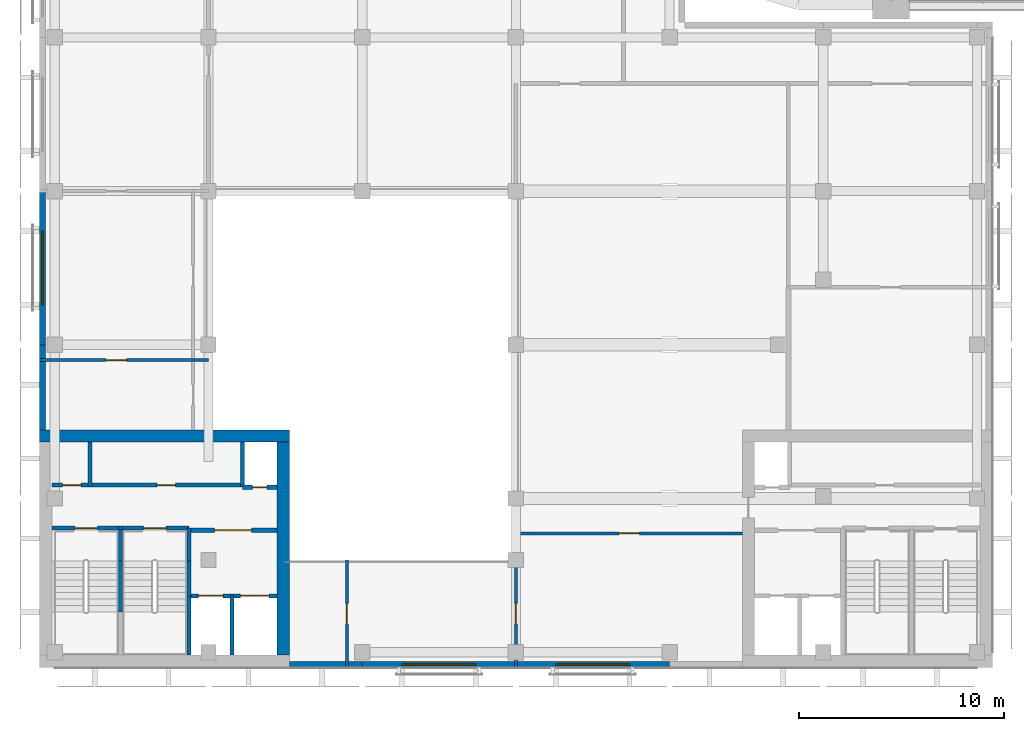
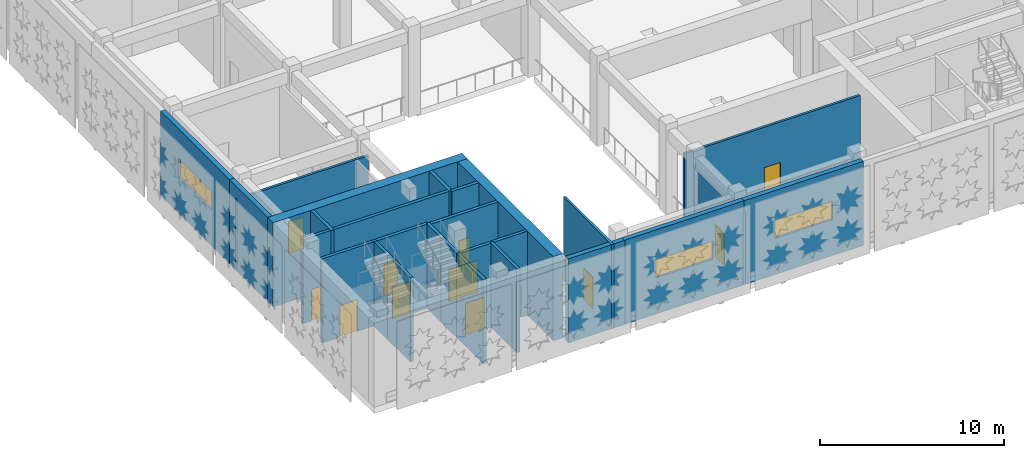
# One storey, part 14 of 46: 27 walls, 12 doors, 3 windows, 15 openings.
"""IFC4 building model written with IfcOpenShell, lengths in metres."""

from ifc_helpers import new_model, si_unit, direction, frame, frame_2d, origin, place, context, subcontext, project, spatial, rectangle, extrude, material, layer, layer_set, type_object, element, fill, save


model = new_model("IFC4")

# Units and contexts
model_context = context("Model", 3, precision=1e-05, world=origin(), true_north=direction((0.0, 1.0)))
body_context = subcontext(model_context, "Body", "Model", "MODEL_VIEW")
ifc_project = project(units=[si_unit("LENGTHUNIT", "METRE"), si_unit("AREAUNIT", "SQUARE_METRE"), si_unit("VOLUMEUNIT", "CUBIC_METRE"), si_unit("PLANEANGLEUNIT", "RADIAN"), si_unit("MASSUNIT", "GRAM", prefix="KILO")], contexts=[model_context])

# Site, building, storey
site_placement = place(None, origin())
site = spatial("IfcSite", under=ifc_project, at=site_placement, CompositionType="ELEMENT")
building_placement = place(site_placement, origin())
building = spatial("IfcBuilding", under=site, at=building_placement, Name="Tessera Arch", CompositionType="ELEMENT")
storey_placement = place(building_placement, frame((0.0, 0.0, 8.0)))
storey = spatial("IfcBuildingStorey", under=building, at=storey_placement, Name="L01", CompositionType="ELEMENT", Elevation=8.0)

# Wall
ifc_material_1 = material(Name="Gypsum board on steel stud", Category="steel")
ifc_layer_1 = layer(ifc_material_1, 0.125)
ifc_layer_set_1 = layer_set([ifc_layer_1], Name="Core partition 125 EI 60")
wall_type_1 = type_object("IfcWallType", Name="Core partition 125 EI 60", PredefinedType="PARTITIONING", material=ifc_layer_set_1)
wall_1_placement = place(storey_placement, frame((-30.090087890625, -23.75, 0.0), z_axis=(0.0, 0.0, 1.0), x_axis=(0.0, 1.0, 0.0)))
element("IfcWall", 1, at=wall_1_placement, inside=storey, type_object=wall_type_1, Name="L01 M2 partition wall 1", PredefinedType="PARTITIONING", context=body_context, shape_type="SweptSolid", body=[
    extrude(rectangle(XDim=2.199951171875, YDim=0.199951171875, at=frame_2d((1.10009765625, 0.0))), origin(), (0.0, 0.0, 1.0), 5.590087890625),
])

# Wall, opening, door
wall_2_placement = place(storey_placement, frame((-25.25, -25.85009765625, 0.0), z_axis=(0.0, 0.0, 1.0), x_axis=(1.0, 0.0, 0.0)))
wall_2 = element("IfcWall", 2, at=wall_2_placement, inside=storey, type_object=wall_type_1, Name="L01 M2 partition wall 11", PredefinedType="PARTITIONING", context=body_context, shape_type="SweptSolid", body=[
    extrude(rectangle(XDim=4.300048828125, YDim=0.199951171875, at=frame_2d((2.14990234375, 0.0))), origin(), (0.0, 0.0, 1.0), 5.590087890625),
])
opening_1_placement = place(wall_2_placement, frame((1.25, 0.0, 0.0)))
opening_1 = element("IfcOpeningElement", 3, at=opening_1_placement, cuts=wall_2, Name="Opening L01-C57", PredefinedType="OPENING", context=body_context, shape_type="SweptSolid", body=[
    extrude(rectangle(XDim=1.800048828125, YDim=2.10009765625, at=frame_2d((0.89990234375, 1.050048828125))), frame((0.0, 0.10986328125, 0.0), z_axis=(0.0, -1.0, 0.0), x_axis=(1.0, 0.0, 0.0)), (0.0, 0.0, 1.0), 0.219970703125),
])
ifc_material_2 = material(Name="Glazed steel door leaf", Category="steel")
door_type_1 = type_object("IfcDoorType", Name="Lobby double door FD30S 1800 x 2100", OperationType="DOUBLE_DOOR_SINGLE_SWING", PredefinedType="DOOR", material=ifc_material_2)
door_1_placement = place(opening_1_placement, origin())
door_1 = element("IfcDoor", 4, at=door_1_placement, inside=storey, type_object=door_type_1, Name="L01 M2 door 5 C57 type D06", OperationType="DOUBLE_DOOR_SINGLE_SWING", OverallHeight=2.10009765625, OverallWidth=1.800048828125, PredefinedType="DOOR", context=body_context, shape_type="SweptSolid", body=[
    extrude(rectangle(XDim=1.800048828125, YDim=2.10009765625, at=frame_2d((0.89990234375, 1.050048828125))), frame((0.0, 0.02490234375, 0.0), z_axis=(0.0, -1.0, 0.0), x_axis=(1.0, 0.0, 0.0)), (0.0, 0.0, 1.0), 0.050048828125),
])
fill(opening_1, door_1)

# Wall, openings, doors
wall_3_placement = place(storey_placement, frame((-31.949951171875, -23.64990234375, 0.0), z_axis=(0.0, 0.0, 1.0), x_axis=(1.0, 0.0, 0.0)))
wall_3 = element("IfcWall", 5, at=wall_3_placement, inside=storey, type_object=wall_type_1, Name="L01 M2 partition wall 15", PredefinedType="PARTITIONING", context=body_context, shape_type="SweptSolid", body=[
    extrude(rectangle(XDim=9.300048828125, YDim=0.199951171875, at=frame_2d((4.64990234375, 0.0))), origin(), (0.0, 0.0, 1.0), 5.590087890625),
])
opening_2_placement = place(wall_3_placement, frame((0.530029296875, 0.0, 0.0)))
opening_2 = element("IfcOpeningElement", 6, at=opening_2_placement, cuts=wall_3, Name="Opening L01-C59", PredefinedType="OPENING", context=body_context, shape_type="SweptSolid", body=[
    extrude(rectangle(XDim=0.89990234375, YDim=2.10009765625, at=frame_2d((0.449951171875, 1.050048828125))), frame((0.0, 0.10986328125, 0.0), z_axis=(0.0, -1.0, 0.0), x_axis=(1.0, 0.0, 0.0)), (0.0, 0.0, 1.0), 0.219970703125),
])
opening_3_placement = place(wall_3_placement, frame((5.1298828125, 0.0, 0.0)))
opening_3 = element("IfcOpeningElement", 7, at=opening_3_placement, cuts=wall_3, Name="Opening L01-C60", PredefinedType="OPENING", context=body_context, shape_type="SweptSolid", body=[
    extrude(rectangle(XDim=0.89990234375, YDim=2.10009765625, at=frame_2d((0.449951171875, 1.050048828125))), frame((0.0, 0.10986328125, 0.0), z_axis=(0.0, -1.0, 0.0), x_axis=(1.0, 0.0, 0.0)), (0.0, 0.0, 1.0), 0.219970703125),
])
ifc_material_3 = material(Name="Steel door leaf", Category="steel")
door_type_2 = type_object("IfcDoorType", Name="Store door FD30S 900 x 2100", OperationType="SINGLE_SWING_LEFT", PredefinedType="DOOR", material=ifc_material_3)
door_2_placement = place(opening_2_placement, origin())
door_2 = element("IfcDoor", 8, at=door_2_placement, inside=storey, type_object=door_type_2, Name="L01 M2 door 7 C59 type D09", OperationType="SINGLE_SWING_LEFT", OverallHeight=2.10009765625, OverallWidth=0.89990234375, PredefinedType="DOOR", context=body_context, shape_type="SweptSolid", body=[
    extrude(rectangle(XDim=0.89990234375, YDim=2.10009765625, at=frame_2d((0.449951171875, 1.050048828125))), frame((0.0, 0.02490234375, 0.0), z_axis=(0.0, -1.0, 0.0), x_axis=(1.0, 0.0, 0.0)), (0.0, 0.0, 1.0), 0.050048828125),
])
fill(opening_2, door_2)
door_3_placement = place(opening_3_placement, origin())
door_3 = element("IfcDoor", 9, at=door_3_placement, inside=storey, type_object=door_type_2, Name="L01 M2 door 8 C60 type D09", OperationType="SINGLE_SWING_RIGHT", OverallHeight=2.10009765625, OverallWidth=0.89990234375, PredefinedType="DOOR", context=body_context, shape_type="SweptSolid", body=[
    extrude(rectangle(XDim=0.89990234375, YDim=2.10009765625, at=frame_2d((0.449951171875, 1.050048828125))), frame((0.0, 0.02490234375, 0.0), z_axis=(0.0, -1.0, 0.0), x_axis=(1.0, 0.0, 0.0)), (0.0, 0.0, 1.0), 0.050048828125),
])
fill(opening_3, door_3)

# Walls
ifc_material_4 = material(Name="Concrete C70/85", Category="concrete")
ifc_layer_2 = layer(ifc_material_4, 0.60009765625)
ifc_layer_set_2 = layer_set([ifc_layer_2], Name="Core shell wall 600 C70-85")
wall_type_2 = type_object("IfcWallType", Name="Core shell wall 600 C70-85", PredefinedType="SHEAR", material=ifc_layer_set_2)
wall_4_placement = place(storey_placement, frame((-32.550048828125, -21.25, 0.0), z_axis=(0.0, 0.0, 1.0), x_axis=(1.0, 0.0, 0.0)))
element("IfcWall", 10, at=wall_4_placement, inside=storey, type_object=wall_type_2, Name="L01 M2 core wall N", PredefinedType="SHEAR", context=body_context, shape_type="SweptSolid", body=[
    extrude(rectangle(XDim=12.199951171875, YDim=0.60009765625, at=frame_2d((6.10009765625, 0.0))), origin(), (0.0, 0.0, 1.0), 5.590087890625),
])
wall_5_placement = place(storey_placement, frame((-20.64990234375, -31.949951171875, 0.0), z_axis=(0.0, 0.0, 1.0), x_axis=(0.0, 1.0, 0.0)))
element("IfcWall", 11, at=wall_5_placement, inside=storey, type_object=wall_type_2, Name="L01 M2 core wall E", PredefinedType="SHEAR", context=body_context, shape_type="SweptSolid", body=[
    extrude(rectangle(XDim=10.39990234375, YDim=0.60009765625, at=frame_2d((5.199951171875, 0.0))), origin(), (0.0, 0.0, 1.0), 5.590087890625),
])
ifc_material_5 = material(Name="Aluminium cladding pale metal anodised", Category="aluminium")
ifc_layer_3 = layer(ifc_material_5, 0.300048828125)
ifc_layer_set_3 = layer_set([ifc_layer_3], Name="Museum envelope wall pale metal")
wall_type_3 = type_object("IfcWallType", Name="Museum envelope wall pale metal", PredefinedType="SOLIDWALL", material=ifc_layer_set_3)
wall_6_placement = place(storey_placement, frame((-20.35009765625, -32.39990234375, 0.0), z_axis=(0.0, 0.0, 1.0), x_axis=(1.0, 0.0, 0.0)))
element("IfcWall", 12, at=wall_6_placement, inside=storey, type_object=wall_type_3, Name="Museum external wall pale metal mashrabiya pattern", PredefinedType="SOLIDWALL", context=body_context, shape_type="SweptSolid", body=[
    extrude(rectangle(XDim=3.550048828125, YDim=0.300048828125, at=frame_2d((1.77490234375, 0.0))), origin(), (0.0, 0.0, 1.0), 5.590087890625),
])

# Wall, opening, window
wall_7_placement = place(storey_placement, frame((-16.800048828125, -32.39990234375, 0.0), z_axis=(0.0, 0.0, 1.0), x_axis=(1.0, 0.0, 0.0)))
wall_7 = element("IfcWall", 13, at=wall_7_placement, inside=storey, type_object=wall_type_3, Name="Museum external wall pale metal mashrabiya pattern", PredefinedType="SOLIDWALL", context=body_context, shape_type="SweptSolid", body=[
    extrude(rectangle(XDim=7.5, YDim=0.300048828125, at=frame_2d((3.75, 0.0))), origin(), (0.0, 0.0, 1.0), 5.590087890625),
])
opening_4_placement = place(wall_7_placement, frame((1.949951171875, 0.0, 2.39990234375)))
opening_4 = element("IfcOpeningElement", 14, at=opening_4_placement, cuts=wall_7, Name="Opening L01-MV12", PredefinedType="OPENING", context=body_context, shape_type="SweptSolid", body=[
    extrude(rectangle(XDim=3.60009765625, YDim=1.199951171875, at=frame_2d((1.800048828125, 0.60009765625))), frame((0.0, 0.159912109375, 0.0), z_axis=(0.0, -1.0, 0.0), x_axis=(1.0, 0.0, 0.0)), (0.0, 0.0, 1.0), 0.320068359375),
])
ifc_material_6 = material(Name="Clear low-e glass in aluminium frame", Category="aluminium")
window_type = type_object("IfcWindowType", Name="Museum clerestory window", PartitioningType="SINGLE_PANEL", PredefinedType="WINDOW", material=ifc_material_6)
window_1_placement = place(opening_4_placement, origin())
window_1 = element("IfcWindow", 15, at=window_1_placement, inside=storey, type_object=window_type, Name="Museum window L01 1-4", OverallHeight=1.199951171875, OverallWidth=3.60009765625, PartitioningType="SINGLE_PANEL", PredefinedType="WINDOW", context=body_context, shape_type="SweptSolid", body=[
    extrude(rectangle(XDim=3.60009765625, YDim=1.199951171875, at=frame_2d((1.800048828125, 0.60009765625))), frame((0.0, 0.030029296875, 0.0), z_axis=(0.0, -1.0, 0.0), x_axis=(1.0, 0.0, 0.0)), (0.0, 0.0, 1.0), 0.06005859375),
])
fill(opening_4, window_1)

wall_8_placement = place(storey_placement, frame((-9.300048828125, -32.39990234375, 0.0), z_axis=(0.0, 0.0, 1.0), x_axis=(1.0, 0.0, 0.0)))
wall_8 = element("IfcWall", 16, at=wall_8_placement, inside=storey, type_object=wall_type_3, Name="Museum external wall pale metal mashrabiya pattern", PredefinedType="SOLIDWALL", context=body_context, shape_type="SweptSolid", body=[
    extrude(rectangle(XDim=7.5, YDim=0.300048828125, at=frame_2d((3.75, 0.0))), origin(), (0.0, 0.0, 1.0), 5.590087890625),
])
opening_5_placement = place(wall_8_placement, frame((1.949951171875, 0.0, 2.39990234375)))
opening_5 = element("IfcOpeningElement", 17, at=opening_5_placement, cuts=wall_8, Name="Opening L01-MV13", PredefinedType="OPENING", context=body_context, shape_type="SweptSolid", body=[
    extrude(rectangle(XDim=3.60009765625, YDim=1.199951171875, at=frame_2d((1.800048828125, 0.60009765625))), frame((0.0, 0.159912109375, 0.0), z_axis=(0.0, -1.0, 0.0), x_axis=(1.0, 0.0, 0.0)), (0.0, 0.0, 1.0), 0.320068359375),
])
window_2_placement = place(opening_5_placement, origin())
window_2 = element("IfcWindow", 18, at=window_2_placement, inside=storey, type_object=window_type, Name="Museum window L01 1-5", OverallHeight=1.199951171875, OverallWidth=3.60009765625, PartitioningType="SINGLE_PANEL", PredefinedType="WINDOW", context=body_context, shape_type="SweptSolid", body=[
    extrude(rectangle(XDim=3.60009765625, YDim=1.199951171875, at=frame_2d((1.800048828125, 0.60009765625))), frame((0.0, 0.030029296875, 0.0), z_axis=(0.0, -1.0, 0.0), x_axis=(1.0, 0.0, 0.0)), (0.0, 0.0, 1.0), 0.06005859375),
])
fill(opening_5, window_2)

wall_9_placement = place(storey_placement, frame((-32.39990234375, -9.300048828125, 0.0), z_axis=(0.0, 0.0, 1.0), x_axis=(0.0, -1.0, 0.0)))
wall_9 = element("IfcWall", 19, at=wall_9_placement, inside=storey, type_object=wall_type_3, Name="Museum external wall pale metal mashrabiya pattern", PredefinedType="SOLIDWALL", context=body_context, shape_type="SweptSolid", body=[
    extrude(rectangle(XDim=7.5, YDim=0.300048828125, at=frame_2d((3.75, 0.0))), origin(), (0.0, 0.0, 1.0), 5.590087890625),
])
opening_6_placement = place(wall_9_placement, frame((1.949951171875, 0.0, 2.39990234375)))
opening_6 = element("IfcOpeningElement", 20, at=opening_6_placement, cuts=wall_9, Name="Opening L01-MV25", PredefinedType="OPENING", context=body_context, shape_type="SweptSolid", body=[
    extrude(rectangle(XDim=3.60009765625, YDim=1.199951171875, at=frame_2d((1.800048828125, 0.60009765625))), frame((0.0, 0.159912109375, 0.0), z_axis=(0.0, -1.0, 0.0), x_axis=(1.0, 0.0, 0.0)), (0.0, 0.0, 1.0), 0.320068359375),
])
window_3_placement = place(opening_6_placement, origin())
window_3 = element("IfcWindow", 21, at=window_3_placement, inside=storey, type_object=window_type, Name="Museum window L01 6-11", OverallHeight=1.199951171875, OverallWidth=3.60009765625, PartitioningType="SINGLE_PANEL", PredefinedType="WINDOW", context=body_context, shape_type="SweptSolid", body=[
    extrude(rectangle(XDim=3.60009765625, YDim=1.199951171875, at=frame_2d((1.800048828125, 0.60009765625))), frame((0.0, 0.030029296875, 0.0), z_axis=(0.0, -1.0, 0.0), x_axis=(1.0, 0.0, 0.0)), (0.0, 0.0, 1.0), 0.06005859375),
])
fill(opening_6, window_3)

# Walls
wall_10_placement = place(storey_placement, frame((-32.39990234375, -16.800048828125, 0.0), z_axis=(0.0, 0.0, 1.0), x_axis=(0.0, -1.0, 0.0)))
element("IfcWall", 22, at=wall_10_placement, inside=storey, type_object=wall_type_3, Name="Museum external wall pale metal mashrabiya pattern", PredefinedType="SOLIDWALL", context=body_context, shape_type="SweptSolid", body=[
    extrude(rectangle(XDim=4.14990234375, YDim=0.300048828125, at=frame_2d((2.074951171875, 0.0))), origin(), (0.0, 0.0, 1.0), 5.590087890625),
])
ifc_material_7 = material(Name="Gypsum board on steel stud", Category="steel")
ifc_layer_4 = layer(ifc_material_7, 0.14990234375)
ifc_layer_set_4 = layer_set([ifc_layer_4], Name="Partition 150")
wall_type_4 = type_object("IfcWallType", Name="Partition 150", PredefinedType="PARTITIONING", material=ifc_layer_set_4)
wall_11_placement = place(storey_placement, frame((-25.050048828125, -17.550048828125, 0.0), z_axis=(0.0, 0.0, 1.0), x_axis=(1.0, 0.0, 0.0)))
element("IfcWall", 23, at=wall_11_placement, inside=storey, type_object=wall_type_4, Name="L01 partition 22", PredefinedType="PARTITIONING", context=body_context, shape_type="SweptSolid", body=[
    extrude(rectangle(XDim=0.75, YDim=0.14990234375, at=frame_2d((0.375, 0.0))), origin(), (0.0, 0.0, 1.0), 4.7900390625),
])

# Wall, opening, door
ifc_material_8 = material(Name="Gypsum board on steel stud", Category="steel")
ifc_layer_5 = layer(ifc_material_8, 0.14990234375)
ifc_layer_set_5 = layer_set([ifc_layer_5], Name="Partition 150 EI 30")
wall_type_5 = type_object("IfcWallType", Name="Partition 150 EI 30", PredefinedType="PARTITIONING", material=ifc_layer_set_5)
wall_12_placement = place(storey_placement, frame((-9.300048828125, -26.0, 0.0), z_axis=(0.0, 0.0, 1.0), x_axis=(1.0, 0.0, 0.0)))
wall_12 = element("IfcWall", 24, at=wall_12_placement, inside=storey, type_object=wall_type_5, Name="L01 partition 28", PredefinedType="PARTITIONING", context=body_context, shape_type="SweptSolid", body=[
    extrude(rectangle(XDim=11.050048828125, YDim=0.14990234375, at=frame_2d((5.52490234375, 0.0))), origin(), (0.0, 0.0, 1.0), 4.7900390625),
])
opening_7_placement = place(wall_12_placement, frame((5.02490234375, 0.0, 0.0)))
opening_7 = element("IfcOpeningElement", 25, at=opening_7_placement, cuts=wall_12, Name="Opening L01-D026", PredefinedType="OPENING", context=body_context, shape_type="SweptSolid", body=[
    extrude(rectangle(XDim=1.0, YDim=2.10009765625, at=frame_2d((0.5, 1.050048828125))), frame((0.0, 0.0849609375, 0.0), z_axis=(0.0, -1.0, 0.0), x_axis=(1.0, 0.0, 0.0)), (0.0, 0.0, 1.0), 0.169921875),
])
ifc_material_9 = material(Name="Fire-rated door leaf")
door_type_3 = type_object("IfcDoorType", Name="Entrance door FD30S 1000 x 2100", OperationType="SINGLE_SWING_LEFT", PredefinedType="DOOR", material=ifc_material_9)
door_4_placement = place(opening_7_placement, origin())
door_4 = element("IfcDoor", 26, at=door_4_placement, inside=storey, type_object=door_type_3, Name="L01 door D026 type D03", OperationType="SINGLE_SWING_LEFT", OverallHeight=2.10009765625, OverallWidth=1.0, PredefinedType="DOOR", context=body_context, shape_type="SweptSolid", body=[
    extrude(rectangle(XDim=1.0, YDim=2.10009765625, at=frame_2d((0.5, 1.050048828125))), frame((0.0, 0.02490234375, 0.0), z_axis=(0.0, -1.0, 0.0), x_axis=(1.0, 0.0, 0.0)), (0.0, 0.0, 1.0), 0.050048828125),
])
fill(opening_7, door_4)

wall_13_placement = place(storey_placement, frame((-32.550048828125, -17.550048828125, 0.0), z_axis=(0.0, 0.0, 1.0), x_axis=(1.0, 0.0, 0.0)))
wall_13 = element("IfcWall", 27, at=wall_13_placement, inside=storey, type_object=wall_type_5, Name="L01 partition 29", PredefinedType="PARTITIONING", context=body_context, shape_type="SweptSolid", body=[
    extrude(rectangle(XDim=7.5, YDim=0.14990234375, at=frame_2d((3.75, 0.0))), origin(), (0.0, 0.0, 1.0), 4.7900390625),
])
opening_8_placement = place(wall_13_placement, frame((3.25, 0.0, 0.0)))
opening_8 = element("IfcOpeningElement", 28, at=opening_8_placement, cuts=wall_13, Name="Opening L01-D028", PredefinedType="OPENING", context=body_context, shape_type="SweptSolid", body=[
    extrude(rectangle(XDim=1.0, YDim=2.10009765625, at=frame_2d((0.5, 1.050048828125))), frame((0.0, 0.0849609375, 0.0), z_axis=(0.0, -1.0, 0.0), x_axis=(1.0, 0.0, 0.0)), (0.0, 0.0, 1.0), 0.169921875),
])
door_5_placement = place(opening_8_placement, origin())
door_5 = element("IfcDoor", 29, at=door_5_placement, inside=storey, type_object=door_type_3, Name="L01 door D028 type D03", OperationType="SINGLE_SWING_LEFT", OverallHeight=2.10009765625, OverallWidth=1.0, PredefinedType="DOOR", context=body_context, shape_type="SweptSolid", body=[
    extrude(rectangle(XDim=1.0, YDim=2.10009765625, at=frame_2d((0.5, 1.050048828125))), frame((0.0, 0.02490234375, 0.0), z_axis=(0.0, -1.0, 0.0), x_axis=(1.0, 0.0, 0.0)), (0.0, 0.0, 1.0), 0.050048828125),
])
fill(opening_8, door_5)

wall_14_placement = place(storey_placement, frame((-17.550048828125, -32.550048828125, 0.0), z_axis=(0.0, 0.0, 1.0), x_axis=(0.0, 1.0, 0.0)))
wall_14 = element("IfcWall", 30, at=wall_14_placement, inside=storey, type_object=wall_type_5, Name="L01 partition 33", PredefinedType="PARTITIONING", context=body_context, shape_type="SweptSolid", body=[
    extrude(rectangle(XDim=5.25, YDim=0.14990234375, at=frame_2d((2.625, 0.0))), origin(), (0.0, 0.0, 1.0), 5.590087890625),
])
opening_9_placement = place(wall_14_placement, frame((2.125, 0.0, 0.0)))
opening_9 = element("IfcOpeningElement", 31, at=opening_9_placement, cuts=wall_14, Name="Opening L01-D030", PredefinedType="OPENING", context=body_context, shape_type="SweptSolid", body=[
    extrude(rectangle(XDim=1.0, YDim=2.10009765625, at=frame_2d((0.5, 1.050048828125))), frame((0.0, 0.0849609375, 0.0), z_axis=(0.0, -1.0, 0.0), x_axis=(1.0, 0.0, 0.0)), (0.0, 0.0, 1.0), 0.169921875),
])
door_6_placement = place(opening_9_placement, origin())
door_6 = element("IfcDoor", 32, at=door_6_placement, inside=storey, type_object=door_type_3, Name="L01 door D030 type D03", OperationType="SINGLE_SWING_RIGHT", OverallHeight=2.10009765625, OverallWidth=1.0, PredefinedType="DOOR", context=body_context, shape_type="SweptSolid", body=[
    extrude(rectangle(XDim=1.0, YDim=2.10009765625, at=frame_2d((0.5, 1.050048828125))), frame((0.0, 0.02490234375, 0.0), z_axis=(0.0, -1.0, 0.0), x_axis=(1.0, 0.0, 0.0)), (0.0, 0.0, 1.0), 0.050048828125),
])
fill(opening_9, door_6)

wall_15_placement = place(storey_placement, frame((-9.300048828125, -32.550048828125, 0.0), z_axis=(0.0, 0.0, 1.0), x_axis=(0.0, 1.0, 0.0)))
wall_15 = element("IfcWall", 33, at=wall_15_placement, inside=storey, type_object=wall_type_5, Name="L01 partition 34", PredefinedType="PARTITIONING", context=body_context, shape_type="SweptSolid", body=[
    extrude(rectangle(XDim=5.25, YDim=0.14990234375, at=frame_2d((2.625, 0.0))), origin(), (0.0, 0.0, 1.0), 4.7900390625),
])
opening_10_placement = place(wall_15_placement, frame((2.125, 0.0, 0.0)))
opening_10 = element("IfcOpeningElement", 34, at=opening_10_placement, cuts=wall_15, Name="Opening L01-D027", PredefinedType="OPENING", context=body_context, shape_type="SweptSolid", body=[
    extrude(rectangle(XDim=1.0, YDim=2.10009765625, at=frame_2d((0.5, 1.050048828125))), frame((0.0, 0.0849609375, 0.0), z_axis=(0.0, -1.0, 0.0), x_axis=(1.0, 0.0, 0.0)), (0.0, 0.0, 1.0), 0.169921875),
])
door_7_placement = place(opening_10_placement, origin())
door_7 = element("IfcDoor", 35, at=door_7_placement, inside=storey, type_object=door_type_3, Name="L01 door D027 type D03", OperationType="SINGLE_SWING_RIGHT", OverallHeight=2.10009765625, OverallWidth=1.0, PredefinedType="DOOR", context=body_context, shape_type="SweptSolid", body=[
    extrude(rectangle(XDim=1.0, YDim=2.10009765625, at=frame_2d((0.5, 1.050048828125))), frame((0.0, 0.02490234375, 0.0), z_axis=(0.0, -1.0, 0.0), x_axis=(1.0, 0.0, 0.0)), (0.0, 0.0, 1.0), 0.050048828125),
])
fill(opening_10, door_7)

# Walls
ifc_material_10 = material(Name="Concrete C40/50", Category="concrete")
ifc_layer_6 = layer(ifc_material_10, 0.199951171875)
ifc_layer_set_6 = layer_set([ifc_layer_6], Name="Shaft wall 200 EI 120")
wall_type_6 = type_object("IfcWallType", Name="Shaft wall 200 EI 120", PredefinedType="SOLIDWALL", material=ifc_layer_set_6)
for number, where, z_axis, x_axis, name in (
    (36, (-25.25, -31.949951171875, 0.0), (0.0, 0.0, 1.0), (0.0, 1.0, 0.0), "L01 M2 shaft wall 5"),
    (37, (-23.14990234375, -31.949951171875, 0.0), (0.0, 0.0, 1.0), (0.0, 1.0, 0.0), "L01 M2 shaft wall 8"),
):
    element("IfcWall", number, at=place(storey_placement, frame(where, z_axis=z_axis, x_axis=x_axis)), inside=storey, type_object=wall_type_6, Name=name, PredefinedType="SOLIDWALL", context=body_context, shape_type="SweptSolid", body=[
        extrude(rectangle(XDim=2.89990234375, YDim=0.199951171875, at=frame_2d((1.449951171875, 0.0))), origin(), (0.0, 0.0, 1.0), 5.590087890625),
    ])
wall_16_placement = place(storey_placement, frame((-22.64990234375, -23.75, 0.0), z_axis=(0.0, 0.0, 1.0), x_axis=(0.0, 1.0, 0.0)))
element("IfcWall", 38, at=wall_16_placement, inside=storey, type_object=wall_type_6, Name="L01 M2 shaft wall 9", PredefinedType="SOLIDWALL", context=body_context, shape_type="SweptSolid", body=[
    extrude(rectangle(XDim=2.199951171875, YDim=0.199951171875, at=frame_2d((1.10009765625, 0.0))), origin(), (0.0, 0.0, 1.0), 5.590087890625),
])

# Wall, openings, doors
wall_17_placement = place(storey_placement, frame((-25.25, -29.050048828125, 0.0), z_axis=(0.0, 0.0, 1.0), x_axis=(1.0, 0.0, 0.0)))
wall_17 = element("IfcWall", 39, at=wall_17_placement, inside=storey, type_object=wall_type_6, Name="L01 M2 shaft wall 10", PredefinedType="SOLIDWALL", context=body_context, shape_type="SweptSolid", body=[
    extrude(rectangle(XDim=4.300048828125, YDim=0.199951171875, at=frame_2d((2.14990234375, 0.0))), origin(), (0.0, 0.0, 1.0), 5.590087890625),
])
opening_11_placement = place(wall_17_placement, frame((0.449951171875, 0.0, 0.0)))
opening_11 = element("IfcOpeningElement", 40, at=opening_11_placement, cuts=wall_17, Name="Opening L01-C53", PredefinedType="OPENING", context=body_context, shape_type="SweptSolid", body=[
    extrude(rectangle(XDim=1.199951171875, YDim=2.10009765625, at=frame_2d((0.60009765625, 1.050048828125))), frame((0.0, 0.10986328125, 0.0), z_axis=(0.0, -1.0, 0.0), x_axis=(1.0, 0.0, 0.0)), (0.0, 0.0, 1.0), 0.219970703125),
])
opening_12_placement = place(wall_17_placement, frame((2.5, 0.0, 0.0)))
opening_12 = element("IfcOpeningElement", 41, at=opening_12_placement, cuts=wall_17, Name="Opening L01-C54", PredefinedType="OPENING", context=body_context, shape_type="SweptSolid", body=[
    extrude(rectangle(XDim=1.39990234375, YDim=2.10009765625, at=frame_2d((0.699951171875, 1.050048828125))), frame((0.0, 0.10986328125, 0.0), z_axis=(0.0, -1.0, 0.0), x_axis=(1.0, 0.0, 0.0)), (0.0, 0.0, 1.0), 0.219970703125),
])
ifc_material_11 = material(Name="Stainless steel AISI 304", Category="steel")
door_type_4 = type_object("IfcDoorType", Name="Sliding landing door 1200 x 2100", OperationType="SLIDING_TO_LEFT", PredefinedType="DOOR", material=ifc_material_11)
door_8_placement = place(opening_11_placement, origin())
door_8 = element("IfcDoor", 42, at=door_8_placement, inside=storey, type_object=door_type_4, Name="L01 ML2 lift landing door C53 type LD", OperationType="SLIDING_TO_LEFT", OverallHeight=2.10009765625, OverallWidth=1.199951171875, PredefinedType="DOOR", context=body_context, shape_type="SweptSolid", body=[
    extrude(rectangle(XDim=1.199951171875, YDim=2.10009765625, at=frame_2d((0.60009765625, 1.050048828125))), frame((0.0, 0.02490234375, 0.0), z_axis=(0.0, -1.0, 0.0), x_axis=(1.0, 0.0, 0.0)), (0.0, 0.0, 1.0), 0.050048828125),
])
fill(opening_11, door_8)
ifc_material_12 = material(Name="Stainless steel AISI 304", Category="steel")
door_type_5 = type_object("IfcDoorType", Name="Sliding landing door 1400 x 2100", OperationType="SLIDING_TO_LEFT", PredefinedType="DOOR", material=ifc_material_12)
door_9_placement = place(opening_12_placement, origin())
door_9 = element("IfcDoor", 43, at=door_9_placement, inside=storey, type_object=door_type_5, Name="L01 ML3 lift landing door C54 type LDW", OperationType="SLIDING_TO_LEFT", OverallHeight=2.10009765625, OverallWidth=1.39990234375, PredefinedType="DOOR", context=body_context, shape_type="SweptSolid", body=[
    extrude(rectangle(XDim=1.39990234375, YDim=2.10009765625, at=frame_2d((0.699951171875, 1.050048828125))), frame((0.0, 0.02490234375, 0.0), z_axis=(0.0, -1.0, 0.0), x_axis=(1.0, 0.0, 0.0)), (0.0, 0.0, 1.0), 0.050048828125),
])
fill(opening_12, door_9)

# Wall, opening, door
wall_18_placement = place(storey_placement, frame((-22.64990234375, -23.75, 0.0), z_axis=(0.0, 0.0, 1.0), x_axis=(1.0, 0.0, 0.0)))
wall_18 = element("IfcWall", 44, at=wall_18_placement, inside=storey, type_object=wall_type_6, Name="L01 M2 shaft wall 16", PredefinedType="SOLIDWALL", context=body_context, shape_type="SweptSolid", body=[
    extrude(rectangle(XDim=1.699951171875, YDim=0.199951171875, at=frame_2d((0.85009765625, 0.0))), origin(), (0.0, 0.0, 1.0), 5.590087890625),
])
opening_13_placement = place(wall_18_placement, frame((0.5, 0.0, 0.0)))
opening_13 = element("IfcOpeningElement", 45, at=opening_13_placement, cuts=wall_18, Name="Opening L01-C58", PredefinedType="OPENING", context=body_context, shape_type="SweptSolid", body=[
    extrude(rectangle(XDim=0.699951171875, YDim=2.10009765625, at=frame_2d((0.35009765625, 1.050048828125))), frame((0.0, 0.10986328125, 0.0), z_axis=(0.0, -1.0, 0.0), x_axis=(1.0, 0.0, 0.0)), (0.0, 0.0, 1.0), 0.219970703125),
])
ifc_material_13 = material(Name="Steel door leaf", Category="steel")
door_type_6 = type_object("IfcDoorType", Name="Service shaft door FD60 700 x 2100", OperationType="SINGLE_SWING_LEFT", PredefinedType="DOOR", material=ifc_material_13)
door_10_placement = place(opening_13_placement, origin())
door_10 = element("IfcDoor", 46, at=door_10_placement, inside=storey, type_object=door_type_6, Name="L01 M2 door 6 C58 type D07", OperationType="SINGLE_SWING_RIGHT", OverallHeight=2.10009765625, OverallWidth=0.699951171875, PredefinedType="DOOR", context=body_context, shape_type="SweptSolid", body=[
    extrude(rectangle(XDim=0.699951171875, YDim=2.10009765625, at=frame_2d((0.35009765625, 1.050048828125))), frame((0.0, 0.02490234375, 0.0), z_axis=(0.0, -1.0, 0.0), x_axis=(1.0, 0.0, 0.0)), (0.0, 0.0, 1.0), 0.050048828125),
])
fill(opening_13, door_10)

# Walls
ifc_material_14 = material(Name="Concrete C40/50", Category="concrete")
ifc_layer_7 = layer(ifc_material_14, 0.199951171875)
ifc_layer_set_7 = layer_set([ifc_layer_7], Name="Stair well wall 200 REI 180")
wall_type_7 = type_object("IfcWallType", Name="Stair well wall 200 REI 180", PredefinedType="SOLIDWALL", material=ifc_layer_set_7)
wall_19_placement = place(storey_placement, frame((-28.60009765625, -29.830078125, 0.0), z_axis=(0.0, 0.0, 1.0), x_axis=(0.0, 1.0, 0.0)))
element("IfcWall", 47, at=wall_19_placement, inside=storey, type_object=wall_type_7, Name="L01 M2 shaft wall 3", PredefinedType="SOLIDWALL", context=body_context, shape_type="SweptSolid", body=[
    extrude(rectangle(XDim=2.47998046875, YDim=0.199951171875, at=frame_2d((1.239990234375, 0.0))), origin(), (0.0, 0.0, 1.0), 5.590087890625),
])
wall_20_placement = place(storey_placement, frame((-28.60009765625, -27.35009765625, 0.0), z_axis=(0.0, 0.0, 1.0), x_axis=(0.0, 1.0, 0.0)))
element("IfcWall", 48, at=wall_20_placement, inside=storey, type_object=wall_type_7, Name="L01 M2 shaft wall 4", PredefinedType="SOLIDWALL", context=body_context, shape_type="SweptSolid", body=[
    extrude(rectangle(XDim=1.60009765625, YDim=0.199951171875, at=frame_2d((0.800048828125, 0.0))), origin(), (0.0, 0.0, 1.0), 5.590087890625),
])
wall_21_placement = place(storey_placement, frame((-25.25, -29.050048828125, 0.0), z_axis=(0.0, 0.0, 1.0), x_axis=(0.0, 1.0, 0.0)))
element("IfcWall", 49, at=wall_21_placement, inside=storey, type_object=wall_type_7, Name="L01 M2 shaft wall 6", PredefinedType="SOLIDWALL", context=body_context, shape_type="SweptSolid", body=[
    extrude(rectangle(XDim=1.699951171875, YDim=0.199951171875, at=frame_2d((0.85009765625, 0.0))), origin(), (0.0, 0.0, 1.0), 5.590087890625),
])
wall_22_placement = place(storey_placement, frame((-25.25, -27.35009765625, 0.0), z_axis=(0.0, 0.0, 1.0), x_axis=(0.0, 1.0, 0.0)))
element("IfcWall", 50, at=wall_22_placement, inside=storey, type_object=wall_type_7, Name="L01 M2 shaft wall 7", PredefinedType="SOLIDWALL", context=body_context, shape_type="SweptSolid", body=[
    extrude(rectangle(XDim=1.60009765625, YDim=0.199951171875, at=frame_2d((0.800048828125, 0.0))), origin(), (0.0, 0.0, 1.0), 5.590087890625),
])

# Wall, opening, door
wall_23_placement = place(storey_placement, frame((-31.949951171875, -25.75, 0.0), z_axis=(0.0, 0.0, 1.0), x_axis=(1.0, 0.0, 0.0)))
wall_23 = element("IfcWall", 51, at=wall_23_placement, inside=storey, type_object=wall_type_7, Name="L01 M2 shaft wall 12", PredefinedType="SOLIDWALL", context=body_context, shape_type="SweptSolid", body=[
    extrude(rectangle(XDim=3.25, YDim=0.199951171875, at=frame_2d((1.625, 0.0))), origin(), (0.0, 0.0, 1.0), 5.590087890625),
])
opening_14_placement = place(wall_23_placement, frame((1.125, 0.0, 0.0)))
opening_14 = element("IfcOpeningElement", 52, at=opening_14_placement, cuts=wall_23, Name="Opening L01-C55", PredefinedType="OPENING", context=body_context, shape_type="SweptSolid", body=[
    extrude(rectangle(XDim=1.10009765625, YDim=2.10009765625, at=frame_2d((0.550048828125, 1.050048828125))), frame((0.0, 0.10986328125, 0.0), z_axis=(0.0, -1.0, 0.0), x_axis=(1.0, 0.0, 0.0)), (0.0, 0.0, 1.0), 0.219970703125),
])
ifc_material_15 = material(Name="Steel door leaf", Category="steel")
door_type_7 = type_object("IfcDoorType", Name="Stair door FD60 1100 x 2100", OperationType="SINGLE_SWING_LEFT", PredefinedType="DOOR", material=ifc_material_15)
door_11_placement = place(opening_14_placement, origin())
door_11 = element("IfcDoor", 53, at=door_11_placement, inside=storey, type_object=door_type_7, Name="L01 M2 door 3 C55 type D05", OperationType="SINGLE_SWING_RIGHT", OverallHeight=2.10009765625, OverallWidth=1.10009765625, PredefinedType="DOOR", context=body_context, shape_type="SweptSolid", body=[
    extrude(rectangle(XDim=1.10009765625, YDim=2.10009765625, at=frame_2d((0.550048828125, 1.050048828125))), frame((0.0, 0.02490234375, 0.0), z_axis=(0.0, -1.0, 0.0), x_axis=(1.0, 0.0, 0.0)), (0.0, 0.0, 1.0), 0.050048828125),
])
fill(opening_14, door_11)

# Wall
wall_24_placement = place(storey_placement, frame((-28.699951171875, -25.75, 0.0), z_axis=(0.0, 0.0, 1.0), x_axis=(1.0, 0.0, 0.0)))
element("IfcWall", 54, at=wall_24_placement, inside=storey, type_object=wall_type_7, Name="L01 M2 shaft wall 13", PredefinedType="SOLIDWALL", context=body_context, shape_type="SweptSolid", body=[
    extrude(rectangle(XDim=0.199951171875, YDim=0.199951171875, at=frame_2d((0.10009765625, 0.0))), origin(), (0.0, 0.0, 1.0), 5.590087890625),
])

# Wall, opening, door
wall_25_placement = place(storey_placement, frame((-28.5, -25.75, 0.0), z_axis=(0.0, 0.0, 1.0), x_axis=(1.0, 0.0, 0.0)))
wall_25 = element("IfcWall", 55, at=wall_25_placement, inside=storey, type_object=wall_type_7, Name="L01 M2 shaft wall 14", PredefinedType="SOLIDWALL", context=body_context, shape_type="SweptSolid", body=[
    extrude(rectangle(XDim=3.25, YDim=0.199951171875, at=frame_2d((1.625, 0.0))), origin(), (0.0, 0.0, 1.0), 5.590087890625),
])
opening_15_placement = place(wall_25_placement, frame((1.02490234375, 0.0, 0.0)))
opening_15 = element("IfcOpeningElement", 56, at=opening_15_placement, cuts=wall_25, Name="Opening L01-C56", PredefinedType="OPENING", context=body_context, shape_type="SweptSolid", body=[
    extrude(rectangle(XDim=1.10009765625, YDim=2.10009765625, at=frame_2d((0.550048828125, 1.050048828125))), frame((0.0, 0.10986328125, 0.0), z_axis=(0.0, -1.0, 0.0), x_axis=(1.0, 0.0, 0.0)), (0.0, 0.0, 1.0), 0.219970703125),
])
door_12_placement = place(opening_15_placement, origin())
door_12 = element("IfcDoor", 57, at=door_12_placement, inside=storey, type_object=door_type_7, Name="L01 M2 door 4 C56 type D05", OperationType="SINGLE_SWING_LEFT", OverallHeight=2.10009765625, OverallWidth=1.10009765625, PredefinedType="DOOR", context=body_context, shape_type="SweptSolid", body=[
    extrude(rectangle(XDim=1.10009765625, YDim=2.10009765625, at=frame_2d((0.550048828125, 1.050048828125))), frame((0.0, 0.02490234375, 0.0), z_axis=(0.0, -1.0, 0.0), x_axis=(1.0, 0.0, 0.0)), (0.0, 0.0, 1.0), 0.050048828125),
])
fill(opening_15, door_12)

save(model, "model.ifc")
